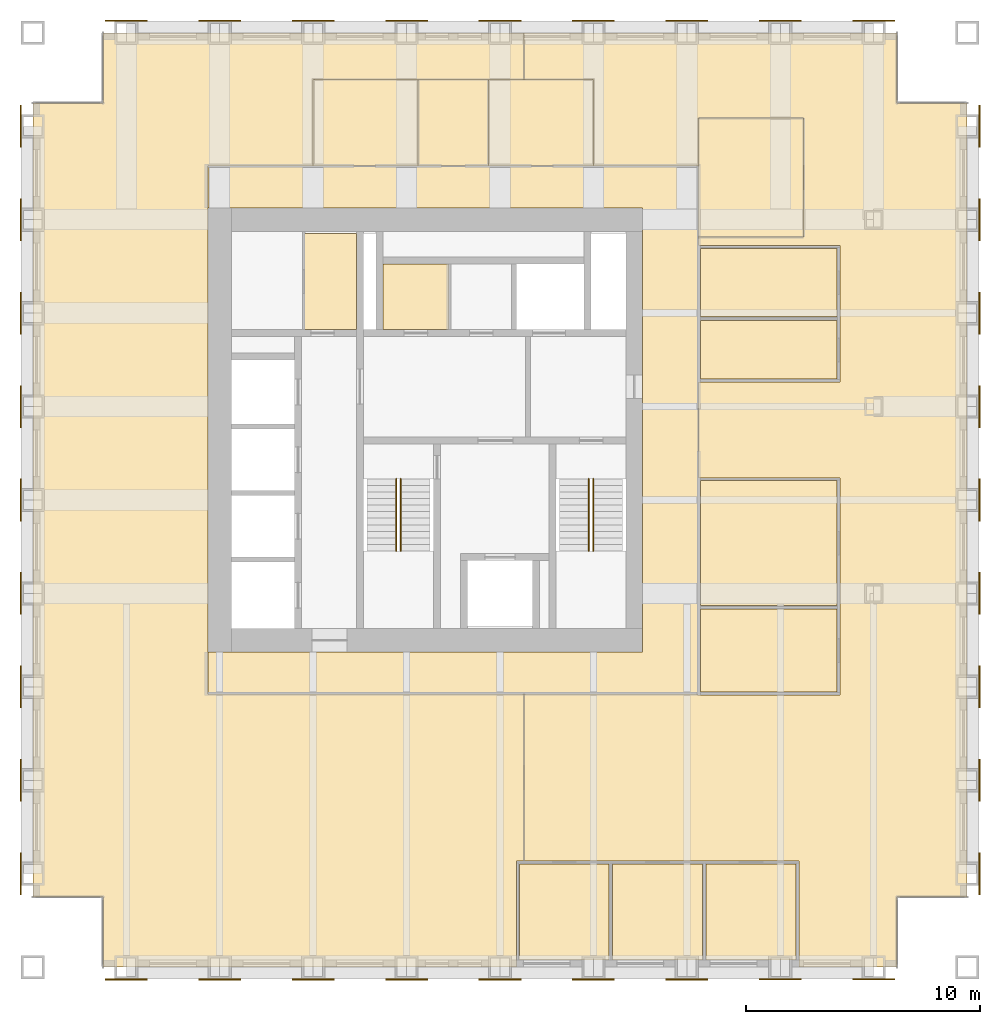
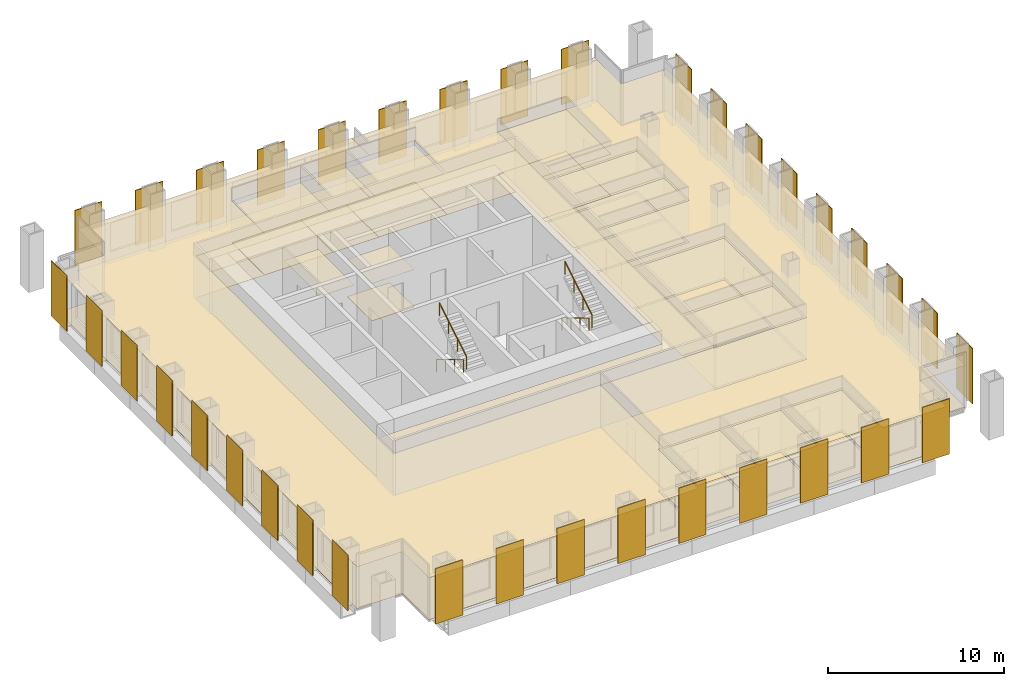
# One storey, part 11 of 11: 36 shading devices, 30 coverings, 4 railings.
"""IFC4 building model written with IfcOpenShell, lengths in metres."""

from ifc_helpers import new_model, si_unit, direction, frame, origin, origin_2d, place, context, subcontext, project, spatial, polyline, rectangle, circle, outline, extrude, material, layer, layer_set, type_object, element, save


model = new_model("IFC4")

# Units and contexts
model_context = context("Model", 3, precision=1e-05, world=origin(), true_north=direction((0.0, 1.0)))
body_context = subcontext(model_context, "Body", "Model", "MODEL_VIEW")
ifc_project = project(units=[si_unit("LENGTHUNIT", "METRE"), si_unit("AREAUNIT", "SQUARE_METRE"), si_unit("VOLUMEUNIT", "CUBIC_METRE"), si_unit("PLANEANGLEUNIT", "RADIAN"), si_unit("MASSUNIT", "GRAM", prefix="KILO")], contexts=[model_context])

# Site, building, storey
site_placement = place(None, origin())
site = spatial("IfcSite", under=ifc_project, at=site_placement, CompositionType="ELEMENT")
building_placement = place(site_placement, origin())
building = spatial("IfcBuilding", under=site, at=building_placement, Name="Rimbunsela Tower", CompositionType="ELEMENT")
storey_placement = place(building_placement, frame((0.0, 0.0, 246.199951171875)))
storey = spatial("IfcBuildingStorey", under=building, at=storey_placement, Name="L59", CompositionType="ELEMENT", Elevation=246.199951171875)

# Coverings
ifc_material_1 = material(Name="Nylon carpet tile", Category="textile")
ifc_layer_1 = layer(ifc_material_1, 0.010009765625)
ifc_layer_set_1 = layer_set([ifc_layer_1], Name="Carpet tile 10")
covering_type_1 = type_object("IfcCoveringType", Name="Carpet tile 10", PredefinedType="FLOORING", material=ifc_layer_set_1)
covering_1_placement = place(storey_placement, origin())
element("IfcCovering", 1, at=covering_1_placement, inside=storey, type_object=covering_type_1, Name="Floor finish Open office", PredefinedType="FLOORING", context=body_context, shape_type="SweptSolid", body=[
    extrude(outline(polyline([(31.02490234375, 44.0), (38.5, 44.0), (47.0, 44.0), (47.0, 41.0), (50.0, 41.0), (50.0, 7.0), (47.0, 7.0), (47.0, 4.0), (42.800048828125, 4.0), (42.800048828125, 8.550048828125), (38.800048828125, 8.550048828125), (38.699951171875, 8.550048828125), (38.5, 8.550048828125), (34.800048828125, 8.550048828125), (34.699951171875, 8.550048828125), (31.02490234375, 8.550048828125), (31.02490234375, 15.699951171875), (38.449951171875, 15.699951171875), (38.449951171875, 15.64990234375), (38.5, 15.64990234375), (44.550048828125, 15.64990234375), (44.550048828125, 19.35009765625), (44.550048828125, 19.449951171875), (44.550048828125, 24.949951171875), (38.5, 24.949951171875), (38.5, 29.050048828125), (44.550048828125, 29.050048828125), (44.550048828125, 31.699951171875), (44.550048828125, 31.800048828125), (44.550048828125, 34.89990234375), (38.5, 34.89990234375), (38.5, 35.25), (43.0, 35.25), (43.0, 40.35009765625), (38.5, 40.35009765625), (38.5, 38.300048828125), (34.0, 38.300048828125), (34.0, 42.0), (31.02490234375, 42.0), (31.02490234375, 44.0)])), origin(), (0.0, 0.0, 1.0), 0.010009765625),
])
covering_2_placement = place(storey_placement, origin())
element("IfcCovering", 2, at=covering_2_placement, inside=storey, type_object=covering_type_1, Name="Floor finish Open office", PredefinedType="FLOORING", context=body_context, shape_type="SweptSolid", body=[
    extrude(outline(polyline([(30.699951171875, 4.0), (17.5, 4.0), (13.0, 4.0), (13.0, 7.0), (10.0, 7.0), (10.0, 41.0), (13.0, 41.0), (13.0, 44.0), (17.5, 44.0), (31.02490234375, 44.0), (31.02490234375, 42.0), (22.0, 42.0), (22.0, 38.300048828125), (17.5, 38.300048828125), (17.5, 36.5), (17.5, 17.5), (17.5, 15.699951171875), (31.02490234375, 15.699951171875), (31.02490234375, 8.550048828125), (30.699951171875, 8.550048828125), (30.699951171875, 4.0)])), origin(), (0.0, 0.0, 1.0), 0.010009765625),
])
covering_3_placement = place(storey_placement, origin())
element("IfcCovering", 3, at=covering_3_placement, inside=storey, type_object=covering_type_1, Name="Floor finish Reception", PredefinedType="FLOORING", context=body_context, shape_type="SweptSolid", body=[
    extrude(outline(polyline([(43.0, 35.25), (43.0, 40.35009765625), (38.5, 40.35009765625), (38.5, 35.25), (43.0, 35.25)])), origin(), (0.0, 0.0, 1.0), 0.010009765625),
])
covering_4_placement = place(storey_placement, origin())
element("IfcCovering", 4, at=covering_4_placement, inside=storey, type_object=covering_type_1, Name="Floor finish Executive office", PredefinedType="FLOORING", context=body_context, shape_type="SweptSolid", body=[
    extrude(outline(polyline([(34.675048828125, 4.300048828125), (34.675048828125, 8.425048828125), (30.824951171875, 8.425048828125), (30.824951171875, 4.300048828125), (34.675048828125, 4.300048828125)])), origin(), (0.0, 0.0, 1.0), 0.010009765625),
])
covering_5_placement = place(storey_placement, origin())
element("IfcCovering", 5, at=covering_5_placement, inside=storey, type_object=covering_type_1, Name="Floor finish Executive office", PredefinedType="FLOORING", context=body_context, shape_type="SweptSolid", body=[
    extrude(outline(polyline([(38.675048828125, 4.300048828125), (38.675048828125, 8.425048828125), (34.824951171875, 8.425048828125), (34.824951171875, 4.300048828125), (38.675048828125, 4.300048828125)])), origin(), (0.0, 0.0, 1.0), 0.010009765625),
])
covering_6_placement = place(storey_placement, origin())
element("IfcCovering", 6, at=covering_6_placement, inside=storey, type_object=covering_type_1, Name="Floor finish Executive office", PredefinedType="FLOORING", context=body_context, shape_type="SweptSolid", body=[
    extrude(outline(polyline([(42.675048828125, 4.300048828125), (42.675048828125, 8.425048828125), (38.824951171875, 8.425048828125), (38.824951171875, 4.300048828125), (42.675048828125, 4.300048828125)])), origin(), (0.0, 0.0, 1.0), 0.010009765625),
])
covering_7_placement = place(storey_placement, origin())
element("IfcCovering", 7, at=covering_7_placement, inside=storey, type_object=covering_type_1, Name="Floor finish Meeting room", PredefinedType="FLOORING", context=body_context, shape_type="SweptSolid", body=[
    extrude(outline(polyline([(44.425048828125, 15.77490234375), (44.425048828125, 19.324951171875), (38.574951171875, 19.324951171875), (38.574951171875, 15.77490234375), (44.425048828125, 15.77490234375)])), origin(), (0.0, 0.0, 1.0), 0.010009765625),
])
covering_8_placement = place(storey_placement, origin())
element("IfcCovering", 8, at=covering_8_placement, inside=storey, type_object=covering_type_1, Name="Floor finish Pantry", PredefinedType="FLOORING", context=body_context, shape_type="SweptSolid", body=[
    extrude(outline(polyline([(44.425048828125, 19.47509765625), (44.425048828125, 24.824951171875), (38.574951171875, 24.824951171875), (38.574951171875, 19.47509765625), (44.425048828125, 19.47509765625)])), origin(), (0.0, 0.0, 1.0), 0.010009765625),
])
covering_9_placement = place(storey_placement, origin())
element("IfcCovering", 9, at=covering_9_placement, inside=storey, type_object=covering_type_1, Name="Floor finish Print and copy room", PredefinedType="FLOORING", context=body_context, shape_type="SweptSolid", body=[
    extrude(outline(polyline([(44.425048828125, 29.175048828125), (44.425048828125, 31.675048828125), (38.574951171875, 31.675048828125), (38.574951171875, 29.175048828125), (44.425048828125, 29.175048828125)])), origin(), (0.0, 0.0, 1.0), 0.010009765625),
])
covering_10_placement = place(storey_placement, origin())
element("IfcCovering", 10, at=covering_10_placement, inside=storey, type_object=covering_type_1, Name="Floor finish Office", PredefinedType="FLOORING", context=body_context, shape_type="SweptSolid", body=[
    extrude(outline(polyline([(44.425048828125, 31.824951171875), (44.425048828125, 34.77490234375), (38.574951171875, 34.77490234375), (38.574951171875, 31.824951171875), (44.425048828125, 31.824951171875)])), origin(), (0.0, 0.0, 1.0), 0.010009765625),
])
ifc_material_2 = material(Name="Mineral fibre ceiling tile", Category="gypsum")
ifc_layer_2 = layer(ifc_material_2, 0.02001953125)
ifc_layer_set_2 = layer_set([ifc_layer_2], Name="Ceiling 600 grid")
covering_type_2 = type_object("IfcCoveringType", Name="Ceiling 600 grid", PredefinedType="CEILING", material=ifc_layer_set_2)
covering_11_placement = place(storey_placement, frame((0.0, 0.0, 2.900146484375)))
element("IfcCovering", 11, at=covering_11_placement, inside=storey, type_object=covering_type_2, Name="Ceiling Staff pantry", PredefinedType="CEILING", context=body_context, shape_type="SweptSolid", body=[
    extrude(outline(polyline([(23.85009765625, 31.300048828125), (23.85009765625, 35.39990234375), (21.60009765625, 35.39990234375), (21.60009765625, 31.300048828125), (23.85009765625, 31.300048828125)])), origin(), (0.0, 0.0, 1.0), 0.02001953125),
])
covering_12_placement = place(storey_placement, frame((0.0, 0.0, 2.900146484375)))
element("IfcCovering", 12, at=covering_12_placement, inside=storey, type_object=covering_type_2, Name="Ceiling U-shaped corridor", PredefinedType="CEILING", context=body_context, shape_type="SweptSolid", body=[
    extrude(outline(polyline([(38.5, 38.300048828125), (38.5, 15.699951171875), (17.5, 15.699951171875), (17.5, 17.5), (36.10009765625, 17.5), (36.10009765625, 36.5), (17.5, 36.5), (17.5, 38.300048828125), (38.5, 38.300048828125)])), origin(), (0.0, 0.0, 1.0), 0.02001953125),
])
covering_13_placement = place(storey_placement, frame((0.0, 0.0, 2.900146484375)))
element("IfcCovering", 13, at=covering_13_placement, inside=storey, type_object=covering_type_2, Name="Ceiling Open office", PredefinedType="CEILING", context=body_context, shape_type="SweptSolid", body=[
    extrude(outline(polyline([(31.02490234375, 44.0), (38.5, 44.0), (47.0, 44.0), (47.0, 41.0), (50.0, 41.0), (50.0, 7.0), (47.0, 7.0), (47.0, 4.0), (42.800048828125, 4.0), (42.800048828125, 8.550048828125), (38.800048828125, 8.550048828125), (38.699951171875, 8.550048828125), (38.5, 8.550048828125), (34.800048828125, 8.550048828125), (34.699951171875, 8.550048828125), (31.02490234375, 8.550048828125), (31.02490234375, 15.699951171875), (38.449951171875, 15.699951171875), (38.449951171875, 15.64990234375), (38.5, 15.64990234375), (44.550048828125, 15.64990234375), (44.550048828125, 19.35009765625), (44.550048828125, 19.449951171875), (44.550048828125, 24.949951171875), (38.5, 24.949951171875), (38.5, 29.050048828125), (44.550048828125, 29.050048828125), (44.550048828125, 31.699951171875), (44.550048828125, 31.800048828125), (44.550048828125, 34.89990234375), (38.5, 34.89990234375), (38.5, 35.25), (43.0, 35.25), (43.0, 40.35009765625), (38.5, 40.35009765625), (38.5, 38.300048828125), (34.0, 38.300048828125), (34.0, 42.0), (31.02490234375, 42.0), (31.02490234375, 44.0)])), origin(), (0.0, 0.0, 1.0), 0.02001953125),
])
covering_14_placement = place(storey_placement, frame((0.0, 0.0, 2.900146484375)))
element("IfcCovering", 14, at=covering_14_placement, inside=storey, type_object=covering_type_2, Name="Ceiling Open office", PredefinedType="CEILING", context=body_context, shape_type="SweptSolid", body=[
    extrude(outline(polyline([(30.699951171875, 4.0), (17.5, 4.0), (13.0, 4.0), (13.0, 7.0), (10.0, 7.0), (10.0, 41.0), (13.0, 41.0), (13.0, 44.0), (17.5, 44.0), (31.02490234375, 44.0), (31.02490234375, 42.0), (22.0, 42.0), (22.0, 38.300048828125), (17.5, 38.300048828125), (17.5, 36.5), (17.5, 17.5), (17.5, 15.699951171875), (31.02490234375, 15.699951171875), (31.02490234375, 8.550048828125), (30.699951171875, 8.550048828125), (30.699951171875, 4.0)])), origin(), (0.0, 0.0, 1.0), 0.02001953125),
])
covering_15_placement = place(storey_placement, frame((0.0, 0.0, 2.900146484375)))
element("IfcCovering", 15, at=covering_15_placement, inside=storey, type_object=covering_type_2, Name="Ceiling Reception", PredefinedType="CEILING", context=body_context, shape_type="SweptSolid", body=[
    extrude(outline(polyline([(43.0, 35.25), (43.0, 40.35009765625), (38.5, 40.35009765625), (38.5, 35.25), (43.0, 35.25)])), origin(), (0.0, 0.0, 1.0), 0.02001953125),
])
covering_16_placement = place(storey_placement, frame((0.0, 0.0, 2.900146484375)))
element("IfcCovering", 16, at=covering_16_placement, inside=storey, type_object=covering_type_2, Name="Ceiling Executive office", PredefinedType="CEILING", context=body_context, shape_type="SweptSolid", body=[
    extrude(outline(polyline([(34.675048828125, 4.300048828125), (34.675048828125, 8.425048828125), (30.824951171875, 8.425048828125), (30.824951171875, 4.300048828125), (34.675048828125, 4.300048828125)])), origin(), (0.0, 0.0, 1.0), 0.02001953125),
])
covering_17_placement = place(storey_placement, frame((0.0, 0.0, 2.900146484375)))
element("IfcCovering", 17, at=covering_17_placement, inside=storey, type_object=covering_type_2, Name="Ceiling Executive office", PredefinedType="CEILING", context=body_context, shape_type="SweptSolid", body=[
    extrude(outline(polyline([(38.675048828125, 4.300048828125), (38.675048828125, 8.425048828125), (34.824951171875, 8.425048828125), (34.824951171875, 4.300048828125), (38.675048828125, 4.300048828125)])), origin(), (0.0, 0.0, 1.0), 0.02001953125),
])
covering_18_placement = place(storey_placement, frame((0.0, 0.0, 2.900146484375)))
element("IfcCovering", 18, at=covering_18_placement, inside=storey, type_object=covering_type_2, Name="Ceiling Executive office", PredefinedType="CEILING", context=body_context, shape_type="SweptSolid", body=[
    extrude(outline(polyline([(42.675048828125, 4.300048828125), (42.675048828125, 8.425048828125), (38.824951171875, 8.425048828125), (38.824951171875, 4.300048828125), (42.675048828125, 4.300048828125)])), origin(), (0.0, 0.0, 1.0), 0.02001953125),
])
covering_19_placement = place(storey_placement, frame((0.0, 0.0, 2.900146484375)))
element("IfcCovering", 19, at=covering_19_placement, inside=storey, type_object=covering_type_2, Name="Ceiling Meeting room", PredefinedType="CEILING", context=body_context, shape_type="SweptSolid", body=[
    extrude(outline(polyline([(44.425048828125, 15.77490234375), (44.425048828125, 19.324951171875), (38.574951171875, 19.324951171875), (38.574951171875, 15.77490234375), (44.425048828125, 15.77490234375)])), origin(), (0.0, 0.0, 1.0), 0.02001953125),
])
covering_20_placement = place(storey_placement, frame((0.0, 0.0, 2.900146484375)))
element("IfcCovering", 20, at=covering_20_placement, inside=storey, type_object=covering_type_2, Name="Ceiling Pantry", PredefinedType="CEILING", context=body_context, shape_type="SweptSolid", body=[
    extrude(outline(polyline([(44.425048828125, 19.47509765625), (44.425048828125, 24.824951171875), (38.574951171875, 24.824951171875), (38.574951171875, 19.47509765625), (44.425048828125, 19.47509765625)])), origin(), (0.0, 0.0, 1.0), 0.02001953125),
])
covering_21_placement = place(storey_placement, frame((0.0, 0.0, 2.900146484375)))
element("IfcCovering", 21, at=covering_21_placement, inside=storey, type_object=covering_type_2, Name="Ceiling Print and copy room", PredefinedType="CEILING", context=body_context, shape_type="SweptSolid", body=[
    extrude(outline(polyline([(44.425048828125, 29.175048828125), (44.425048828125, 31.675048828125), (38.574951171875, 31.675048828125), (38.574951171875, 29.175048828125), (44.425048828125, 29.175048828125)])), origin(), (0.0, 0.0, 1.0), 0.02001953125),
])
covering_22_placement = place(storey_placement, frame((0.0, 0.0, 2.900146484375)))
element("IfcCovering", 22, at=covering_22_placement, inside=storey, type_object=covering_type_2, Name="Ceiling Office", PredefinedType="CEILING", context=body_context, shape_type="SweptSolid", body=[
    extrude(outline(polyline([(44.425048828125, 31.824951171875), (44.425048828125, 34.77490234375), (38.574951171875, 34.77490234375), (38.574951171875, 31.824951171875), (44.425048828125, 31.824951171875)])), origin(), (0.0, 0.0, 1.0), 0.02001953125),
])
ifc_material_3 = material(Name="Moisture-resistant plasterboard ceiling", Category="gypsum")
ifc_layer_3 = layer(ifc_material_3, 0.012451171875)
ifc_layer_set_3 = layer_set([ifc_layer_3], Name="Ceiling moisture-resistant board")
covering_type_3 = type_object("IfcCoveringType", Name="Ceiling moisture-resistant board", PredefinedType="CEILING", material=ifc_layer_set_3)
covering_23_placement = place(storey_placement, frame((0.0, 0.0, 2.60009765625)))
element("IfcCovering", 23, at=covering_23_placement, inside=storey, type_object=covering_type_3, Name="Ceiling Staff WC", PredefinedType="CEILING", context=body_context, shape_type="SweptSolid", body=[
    extrude(outline(polyline([(27.800048828125, 31.300048828125), (27.800048828125, 34.10009765625), (25.0, 34.10009765625), (25.0, 31.300048828125), (27.800048828125, 31.300048828125)])), origin(), (0.0, 0.0, 1.0), 0.02001953125),
])
covering_24_placement = place(storey_placement, frame((0.0, 0.0, 2.60009765625)))
element("IfcCovering", 24, at=covering_24_placement, inside=storey, type_object=covering_type_3, Name="Ceiling Female WC", PredefinedType="CEILING", context=body_context, shape_type="SweptSolid", body=[
    extrude(outline(polyline([(26.5, 38.300048828125), (26.5, 42.0), (22.0, 42.0), (22.0, 38.300048828125), (26.5, 38.300048828125)])), origin(), (0.0, 0.0, 1.0), 0.02001953125),
])
covering_25_placement = place(storey_placement, frame((0.0, 0.0, 2.60009765625)))
element("IfcCovering", 25, at=covering_25_placement, inside=storey, type_object=covering_type_3, Name="Ceiling Accessible WC", PredefinedType="CEILING", context=body_context, shape_type="SweptSolid", body=[
    extrude(outline(polyline([(29.5, 38.300048828125), (29.5, 42.0), (26.5, 42.0), (26.5, 38.300048828125), (29.5, 38.300048828125)])), origin(), (0.0, 0.0, 1.0), 0.02001953125),
])
covering_26_placement = place(storey_placement, frame((0.0, 0.0, 2.60009765625)))
element("IfcCovering", 26, at=covering_26_placement, inside=storey, type_object=covering_type_3, Name="Ceiling Male WC", PredefinedType="CEILING", context=body_context, shape_type="SweptSolid", body=[
    extrude(outline(polyline([(34.0, 38.300048828125), (34.0, 42.0), (29.5, 42.0), (29.5, 38.300048828125), (34.0, 38.300048828125)])), origin(), (0.0, 0.0, 1.0), 0.02001953125),
])
ifc_material_4 = material(Name="Porcelain floor tile in adhesive bed", Category="ceramic")
ifc_layer_4 = layer(ifc_material_4, 0.02001953125)
ifc_layer_set_4 = layer_set([ifc_layer_4], Name="Porcelain tile 20")
covering_type_4 = type_object("IfcCoveringType", Name="Porcelain tile 20", PredefinedType="FLOORING", material=ifc_layer_set_4)
covering_27_placement = place(storey_placement, origin())
element("IfcCovering", 27, at=covering_27_placement, inside=storey, type_object=covering_type_4, Name="Floor finish Staff WC", PredefinedType="FLOORING", context=body_context, shape_type="SweptSolid", body=[
    extrude(outline(polyline([(27.800048828125, 31.300048828125), (27.800048828125, 34.10009765625), (25.0, 34.10009765625), (25.0, 31.300048828125), (27.800048828125, 31.300048828125)])), origin(), (0.0, 0.0, 1.0), 0.02001953125),
])
covering_28_placement = place(storey_placement, origin())
element("IfcCovering", 28, at=covering_28_placement, inside=storey, type_object=covering_type_4, Name="Floor finish Female WC", PredefinedType="FLOORING", context=body_context, shape_type="SweptSolid", body=[
    extrude(outline(polyline([(26.5, 38.300048828125), (26.5, 42.0), (22.0, 42.0), (22.0, 38.300048828125), (26.5, 38.300048828125)])), origin(), (0.0, 0.0, 1.0), 0.02001953125),
])
covering_29_placement = place(storey_placement, origin())
element("IfcCovering", 29, at=covering_29_placement, inside=storey, type_object=covering_type_4, Name="Floor finish Accessible WC", PredefinedType="FLOORING", context=body_context, shape_type="SweptSolid", body=[
    extrude(outline(polyline([(29.5, 38.300048828125), (29.5, 42.0), (26.5, 42.0), (26.5, 38.300048828125), (29.5, 38.300048828125)])), origin(), (0.0, 0.0, 1.0), 0.02001953125),
])
covering_30_placement = place(storey_placement, origin())
element("IfcCovering", 30, at=covering_30_placement, inside=storey, type_object=covering_type_4, Name="Floor finish Male WC", PredefinedType="FLOORING", context=body_context, shape_type="SweptSolid", body=[
    extrude(outline(polyline([(34.0, 38.300048828125), (34.0, 42.0), (29.5, 42.0), (29.5, 38.300048828125), (34.0, 38.300048828125)])), origin(), (0.0, 0.0, 1.0), 0.02001953125),
])

# Shading devices
ifc_material_5 = material(Name="Perforated aluminium, 35 % open area", Category="aluminium")
ifc_layer_5 = layer(ifc_material_5, 0.050048828125)
ifc_layer_set_5 = layer_set([ifc_layer_5], Name="Solar screen panel 1800")
shading_device_type = type_object("IfcShadingDeviceType", Name="Solar screen panel 1800", PredefinedType="USERDEFINED", material=ifc_layer_set_5)
for number, where, z_axis, x_axis, name in (
    (31, (14.0, 3.47509765625, 0.0), (0.0, 0.0, 1.0), (1.0, 0.0, 0.0), "Solar screen S L59"),
    (32, (18.0, 3.47509765625, 0.0), (0.0, 0.0, 1.0), (1.0, 0.0, 0.0), "Solar screen S L59"),
    (33, (22.0, 3.47509765625, 0.0), (0.0, 0.0, 1.0), (1.0, 0.0, 0.0), "Solar screen S L59"),
    (34, (26.0, 3.47509765625, 0.0), (0.0, 0.0, 1.0), (1.0, 0.0, 0.0), "Solar screen S L59"),
    (35, (30.0, 3.47509765625, 0.0), (0.0, 0.0, 1.0), (1.0, 0.0, 0.0), "Solar screen S L59"),
    (36, (34.0, 3.47509765625, 0.0), (0.0, 0.0, 1.0), (1.0, 0.0, 0.0), "Solar screen S L59"),
    (37, (38.0, 3.47509765625, 0.0), (0.0, 0.0, 1.0), (1.0, 0.0, 0.0), "Solar screen S L59"),
    (38, (42.0, 3.47509765625, 0.0), (0.0, 0.0, 1.0), (1.0, 0.0, 0.0), "Solar screen S L59"),
    (39, (46.0, 3.47509765625, 0.0), (0.0, 0.0, 1.0), (1.0, 0.0, 0.0), "Solar screen S L59"),
    (40, (50.52490234375, 8.0, 0.0), (0.0, 0.0, 1.0), (0.0, 1.0, 0.0), "Solar screen E L59"),
    (41, (50.52490234375, 12.0, 0.0), (0.0, 0.0, 1.0), (0.0, 1.0, 0.0), "Solar screen E L59"),
    (42, (50.52490234375, 16.0, 0.0), (0.0, 0.0, 1.0), (0.0, 1.0, 0.0), "Solar screen E L59"),
    (43, (50.52490234375, 20.0, 0.0), (0.0, 0.0, 1.0), (0.0, 1.0, 0.0), "Solar screen E L59"),
    (44, (50.52490234375, 24.0, 0.0), (0.0, 0.0, 1.0), (0.0, 1.0, 0.0), "Solar screen E L59"),
    (45, (50.52490234375, 28.0, 0.0), (0.0, 0.0, 1.0), (0.0, 1.0, 0.0), "Solar screen E L59"),
    (46, (50.52490234375, 32.0, 0.0), (0.0, 0.0, 1.0), (0.0, 1.0, 0.0), "Solar screen E L59"),
    (47, (50.52490234375, 36.0, 0.0), (0.0, 0.0, 1.0), (0.0, 1.0, 0.0), "Solar screen E L59"),
    (48, (50.52490234375, 40.0, 0.0), (0.0, 0.0, 1.0), (0.0, 1.0, 0.0), "Solar screen E L59"),
    (49, (14.0, 44.52490234375, 0.0), (0.0, 0.0, 1.0), (1.0, 0.0, 0.0), "Solar screen N L59"),
    (50, (18.0, 44.52490234375, 0.0), (0.0, 0.0, 1.0), (1.0, 0.0, 0.0), "Solar screen N L59"),
    (51, (22.0, 44.52490234375, 0.0), (0.0, 0.0, 1.0), (1.0, 0.0, 0.0), "Solar screen N L59"),
    (52, (26.0, 44.52490234375, 0.0), (0.0, 0.0, 1.0), (1.0, 0.0, 0.0), "Solar screen N L59"),
    (53, (30.0, 44.52490234375, 0.0), (0.0, 0.0, 1.0), (1.0, 0.0, 0.0), "Solar screen N L59"),
    (54, (34.0, 44.52490234375, 0.0), (0.0, 0.0, 1.0), (1.0, 0.0, 0.0), "Solar screen N L59"),
    (55, (38.0, 44.52490234375, 0.0), (0.0, 0.0, 1.0), (1.0, 0.0, 0.0), "Solar screen N L59"),
    (56, (42.0, 44.52490234375, 0.0), (0.0, 0.0, 1.0), (1.0, 0.0, 0.0), "Solar screen N L59"),
    (57, (46.0, 44.52490234375, 0.0), (0.0, 0.0, 1.0), (1.0, 0.0, 0.0), "Solar screen N L59"),
    (58, (9.47509765625, 8.0, 0.0), (0.0, 0.0, 1.0), (0.0, 1.0, 0.0), "Solar screen W L59"),
    (59, (9.47509765625, 12.0, 0.0), (0.0, 0.0, 1.0), (0.0, 1.0, 0.0), "Solar screen W L59"),
    (60, (9.47509765625, 16.0, 0.0), (0.0, 0.0, 1.0), (0.0, 1.0, 0.0), "Solar screen W L59"),
    (61, (9.47509765625, 20.0, 0.0), (0.0, 0.0, 1.0), (0.0, 1.0, 0.0), "Solar screen W L59"),
    (62, (9.47509765625, 24.0, 0.0), (0.0, 0.0, 1.0), (0.0, 1.0, 0.0), "Solar screen W L59"),
    (63, (9.47509765625, 28.0, 0.0), (0.0, 0.0, 1.0), (0.0, 1.0, 0.0), "Solar screen W L59"),
    (64, (9.47509765625, 32.0, 0.0), (0.0, 0.0, 1.0), (0.0, 1.0, 0.0), "Solar screen W L59"),
    (65, (9.47509765625, 36.0, 0.0), (0.0, 0.0, 1.0), (0.0, 1.0, 0.0), "Solar screen W L59"),
    (66, (9.47509765625, 40.0, 0.0), (0.0, 0.0, 1.0), (0.0, 1.0, 0.0), "Solar screen W L59"),
):
    element("IfcShadingDevice", number, at=place(storey_placement, frame(where, z_axis=z_axis, x_axis=x_axis)), inside=storey, type_object=shading_device_type, Name=name, ObjectType="SCREEN", PredefinedType="USERDEFINED", context=body_context, shape_type="SweptSolid", body=[
        extrude(rectangle(XDim=1.800048828125, YDim=0.050048828125, at=origin_2d()), origin(), (0.0, 0.0, 1.0), 3.85009765625),
    ])

# Railings
ifc_material_6 = material(Name="Stainless steel tube", Category="steel")
railing_type = type_object("IfcRailingType", Name="Stair handrail 900", PredefinedType="HANDRAIL", material=ifc_material_6)
railing_1_placement = place(storey_placement, frame((25.550048828125, 24.89990234375, 0.166748046875)))
element("IfcRailing", 67, at=railing_1_placement, inside=storey, type_object=railing_type, Name="Handrail ST-A flight 1", PredefinedType="HANDRAIL", context=body_context, shape_type="SweptSolid", body=[
    extrude(circle(Radius=0.02392578125, at=origin_2d()), frame((0.0, 0.0, 0.8759765625), z_axis=(0.0, -0.859290745958, 0.51148745235), x_axis=(1.0, 0.0, 0.0)), (0.0, 0.0, 1.0), 3.584228515625),
    extrude(circle(Radius=0.02099609375, at=origin_2d()), origin(), (0.0, 0.0, 1.0), 0.851806640625),
    extrude(circle(Radius=0.02099609375, at=origin_2d()), frame((0.0, -1.026611328125, 0.611083984375)), (0.0, 0.0, 1.0), 0.851806640625),
    extrude(circle(Radius=0.02099609375, at=origin_2d()), frame((0.0, -2.05322265625, 1.22216796875)), (0.0, 0.0, 1.0), 0.851806640625),
    extrude(circle(Radius=0.02099609375, at=origin_2d()), frame((0.0, -3.079833984375, 1.833251953125)), (0.0, 0.0, 1.0), 0.851806640625),
])
railing_2_placement = place(storey_placement, frame((25.75, 21.820068359375, 2.166748046875)))
element("IfcRailing", 68, at=railing_2_placement, inside=storey, type_object=railing_type, Name="Handrail ST-A flight 2", PredefinedType="HANDRAIL", context=body_context, shape_type="SweptSolid", body=[
    extrude(circle(Radius=0.02392578125, at=origin_2d()), frame((0.0, 0.0, 0.8759765625), z_axis=(0.0, 0.859290745958, 0.51148745235), x_axis=(-1.0, 0.0, 0.0)), (0.0, 0.0, 1.0), 3.584228515625),
    extrude(circle(Radius=0.02099609375, at=origin_2d()), origin(), (0.0, 0.0, 1.0), 0.851806640625),
    extrude(circle(Radius=0.02099609375, at=origin_2d()), frame((0.0, 1.026611328125, 0.611083984375)), (0.0, 0.0, 1.0), 0.851806640625),
    extrude(circle(Radius=0.02099609375, at=origin_2d()), frame((0.0, 2.05322265625, 1.22216796875)), (0.0, 0.0, 1.0), 0.851806640625),
    extrude(circle(Radius=0.02099609375, at=origin_2d()), frame((0.0, 3.079833984375, 1.833251953125)), (0.0, 0.0, 1.0), 0.851806640625),
])
railing_3_placement = place(storey_placement, frame((33.800048828125, 24.89990234375, 0.166748046875)))
element("IfcRailing", 69, at=railing_3_placement, inside=storey, type_object=railing_type, Name="Handrail ST-B flight 1", PredefinedType="HANDRAIL", context=body_context, shape_type="SweptSolid", body=[
    extrude(circle(Radius=0.02392578125, at=origin_2d()), frame((0.0, 0.0, 0.8759765625), z_axis=(0.0, -0.859290745958, 0.51148745235), x_axis=(1.0, 0.0, 0.0)), (0.0, 0.0, 1.0), 3.584228515625),
    extrude(circle(Radius=0.02099609375, at=origin_2d()), origin(), (0.0, 0.0, 1.0), 0.851806640625),
    extrude(circle(Radius=0.02099609375, at=origin_2d()), frame((0.0, -1.026611328125, 0.611083984375)), (0.0, 0.0, 1.0), 0.851806640625),
    extrude(circle(Radius=0.02099609375, at=origin_2d()), frame((0.0, -2.05322265625, 1.22216796875)), (0.0, 0.0, 1.0), 0.851806640625),
    extrude(circle(Radius=0.02099609375, at=origin_2d()), frame((0.0, -3.079833984375, 1.833251953125)), (0.0, 0.0, 1.0), 0.851806640625),
])
railing_4_placement = place(storey_placement, frame((34.0, 21.820068359375, 2.166748046875)))
element("IfcRailing", 70, at=railing_4_placement, inside=storey, type_object=railing_type, Name="Handrail ST-B flight 2", PredefinedType="HANDRAIL", context=body_context, shape_type="SweptSolid", body=[
    extrude(circle(Radius=0.02392578125, at=origin_2d()), frame((0.0, 0.0, 0.8759765625), z_axis=(0.0, 0.859290745958, 0.51148745235), x_axis=(-1.0, 0.0, 0.0)), (0.0, 0.0, 1.0), 3.584228515625),
    extrude(circle(Radius=0.02099609375, at=origin_2d()), origin(), (0.0, 0.0, 1.0), 0.851806640625),
    extrude(circle(Radius=0.02099609375, at=origin_2d()), frame((0.0, 1.026611328125, 0.611083984375)), (0.0, 0.0, 1.0), 0.851806640625),
    extrude(circle(Radius=0.02099609375, at=origin_2d()), frame((0.0, 2.05322265625, 1.22216796875)), (0.0, 0.0, 1.0), 0.851806640625),
    extrude(circle(Radius=0.02099609375, at=origin_2d()), frame((0.0, 3.079833984375, 1.833251953125)), (0.0, 0.0, 1.0), 0.851806640625),
])

save(model, "model.ifc")
